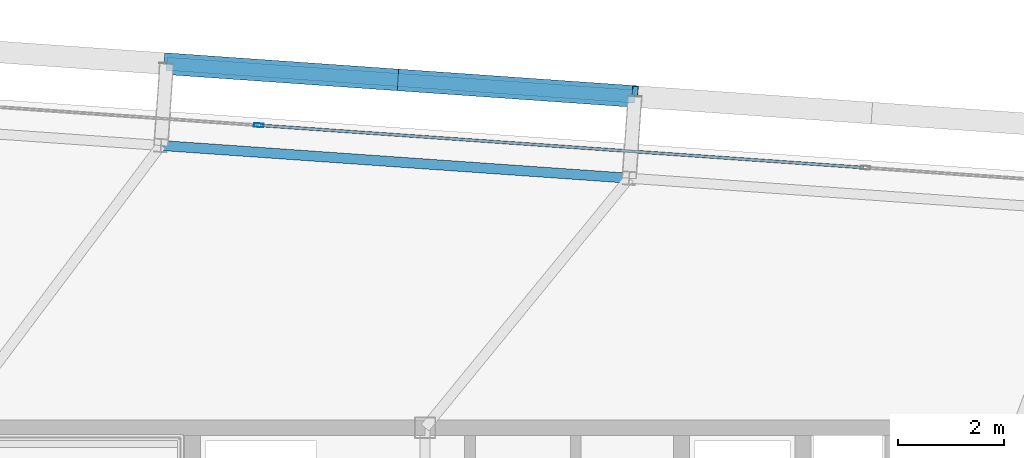
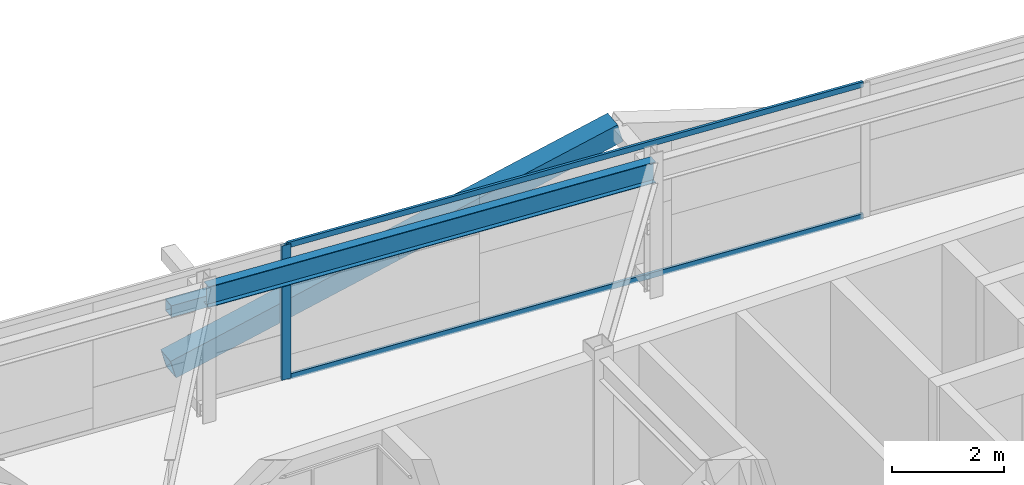
# One storey, part 21 of 39: 6 members, 1 beam, 1 element without a shape of its own.
"""IFC4 building model written with IfcOpenShell, lengths in metres."""

from ifc_helpers import new_model, si_unit, direction, frame, origin, origin_2d, place, context, subcontext, project, spatial, hollow_rectangle, i_section, extrude, source, transform, mapped, material, layer, layer_set, material_profile, profile_set, type_object, element, aggregate, save


model = new_model("IFC4")

# Units and contexts
model_context = context("Model", 3, precision=1e-05, world=origin(), true_north=direction((0.0, 1.0)))
body_context = subcontext(model_context, "Body", "Model", "MODEL_VIEW")
ifc_project = project(units=[si_unit("LENGTHUNIT", "METRE"), si_unit("AREAUNIT", "SQUARE_METRE"), si_unit("VOLUMEUNIT", "CUBIC_METRE"), si_unit("PLANEANGLEUNIT", "RADIAN"), si_unit("MASSUNIT", "GRAM", prefix="KILO")], contexts=[model_context])

# Site, building, storey
site_placement = place(None, origin())
site = spatial("IfcSite", under=ifc_project, at=site_placement, CompositionType="ELEMENT")
building_placement = place(site_placement, origin())
building = spatial("IfcBuilding", under=site, at=building_placement, Name="Taldren Reach Tower", CompositionType="ELEMENT")
storey_placement = place(building_placement, frame((0.0, 0.0, 136.14990234375)))
storey = spatial("IfcBuildingStorey", under=building, at=storey_placement, Name="L41", CompositionType="ELEMENT", Elevation=136.14990234375)

# Beam
ifc_material_1 = material(Name="Steel Gr 350 (350PLUS)", Category="steel")
ifc_material_profile_1 = material_profile(ifc_material_1, i_section(OverallWidth=0.18994140625, OverallDepth=0.4541015625, WebThickness=0.008544921875, FlangeThickness=0.0126953125, at=origin_2d()), Name="460UB67.1")
ifc_profile_set_1 = profile_set([ifc_material_profile_1], Name="Steel Gr 350 (350PLUS)")
beam_type = type_object("IfcBeamType", Name="SP-UB460B", PredefinedType="SPANDREL", material=ifc_profile_set_1)
shared_shape_1 = source(origin(), body_context, "Body", "SweptSolid", [
    extrude(i_section(OverallWidth=0.18994140625, OverallDepth=0.4541015625, WebThickness=0.008544921875, FlangeThickness=0.0126953125, at=origin_2d()), origin(), (0.0, 0.0, 1.0), 8.880126953125),
])
beam_placement = place(storey_placement, frame((31.861328125, 36.719970703125, 2.703125), z_axis=(-0.997564479639, 0.069750333063, 0.0), x_axis=(-0.069750333063, -0.997564479639, 0.0)))
element("IfcBeam", 1, at=beam_placement, inside=storey, type_object=beam_type, Name="Perimeter spandrel B3 N3-N2 L41", PredefinedType="SPANDREL", context=body_context, shape_type="MappedRepresentation", body=[
    mapped(shared_shape_1, transform((0.0, 0.0, 0.0), scale=1.0)),
])

# Members
ifc_material_2 = material(Name="Steel Gr 350 (C350L0)", Category="steel")
ifc_material_profile_2 = material_profile(ifc_material_2, hollow_rectangle(XDim=0.25, YDim=0.25, WallThickness=0.010009765625, at=origin_2d()), Name="250x250x10.0SHS")
ifc_profile_set_2 = profile_set([ifc_material_profile_2], Name="Steel Gr 350 (C350L0)")
member_type_1 = type_object("IfcMemberType", Name="MB-POST250", PredefinedType="POST", material=ifc_profile_set_2)
shared_shape_2 = source(origin(), body_context, "Body", "SweptSolid", [
    extrude(hollow_rectangle(XDim=0.25, YDim=0.25, WallThickness=0.010009765625, at=origin_2d()), origin(), (0.0, 0.0, 1.0), 8.880126953125),
])
member_1_placement = place(storey_placement, frame((23.111083984375, 38.885498046875, 1.43505859375), z_axis=(0.997564479639, -0.069750333063, 0.0), x_axis=(0.069750333063, 0.997564479639, 0.0)))
element("IfcMember", 2, at=member_1_placement, inside=storey, type_object=member_type_1, Name="Exoskeleton mid-height ring chord B3-N2 L41", PredefinedType="POST", context=body_context, shape_type="MappedRepresentation", body=[
    mapped(shared_shape_2, transform((0.0, 0.0, 0.0), scale=1.0)),
])
ifc_material_3 = material(Name="Steel Gr 450 (C450L0)", Category="steel")
ifc_material_profile_3 = material_profile(ifc_material_3, hollow_rectangle(XDim=0.409912109375, YDim=0.409912109375, WallThickness=0.01611328125, at=origin_2d()), Name="410x410x16.0SHS")
ifc_profile_set_3 = profile_set([ifc_material_profile_3], Name="Steel Gr 450 (C450L0)")
member_type_2 = type_object("IfcMemberType", Name="MB-EXO406", PredefinedType="BRACE", material=ifc_profile_set_3)
shared_shape_3 = source(origin(), body_context, "Body", "SweptSolid", [
    extrude(hollow_rectangle(XDim=0.409912109375, YDim=0.409912109375, WallThickness=0.01611328125, at=origin_2d()), origin(), (0.0, 0.0, 1.0), 4.603271484375),
])
for number, where, z_axis, x_axis, name in (
    (3, (23.111083984375, 38.885498046875, 0.22021484375), (0.962199253371, -0.067251055742, 0.263912660389), (0.069722973508, 0.997566392259, 0.0), "Exoskeleton Diagrid Brace B3-N2 L41"),
    (4, (27.540283203125, 38.575927734375, 1.43505859375), (0.962182351074, -0.067302910567, 0.263961060594), (0.06977769246, 0.997562566276, 0.0), "Exoskeleton Diagrid Brace B3-N2 L41"),
):
    element("IfcMember", number, at=place(storey_placement, frame(where, z_axis=z_axis, x_axis=x_axis)), inside=storey, type_object=member_type_2, Name=name, PredefinedType="BRACE", context=body_context, shape_type="MappedRepresentation", body=[
        mapped(shared_shape_3, transform((0.0, 0.0, 0.0), scale=1.0)),
    ])

# Curtain wall, members
ifc_material_4 = material(Name="Aluminium and Low-E Glass Unitised System", Category="aluminium")
ifc_layer = layer(ifc_material_4, 0.159912109375)
ifc_layer_set = layer_set([ifc_layer], Name="Aluminium and Low-E Glass Unitised System")
curtain_wall_type = type_object("IfcCurtainWallType", Name="CW-SYS-4", PredefinedType="NOTDEFINED", material=ifc_layer_set)
curtain_wall_placement = place(storey_placement, origin())
curtain_wall = element("IfcCurtainWall", 5, at=curtain_wall_placement, inside=storey, type_object=curtain_wall_type, Name="Unitised curtain wall CW-L41-N", PredefinedType="NOTDEFINED")
ifc_material_5 = material(Name="Anodised Aluminium 6063-T6", Category="aluminium")
ifc_material_profile_4 = material_profile(ifc_material_5, hollow_rectangle(XDim=0.070068359375, YDim=0.179931640625, WallThickness=0.00390625, at=origin_2d()), Name="ALU-180x70x4RHS")
ifc_profile_set_4 = profile_set([ifc_material_profile_4], Name="Anodised Aluminium 6063-T6")
member_type_3 = type_object("IfcMemberType", Name="CW-MUL-180", PredefinedType="MULLION", material=ifc_profile_set_4)
shared_shape_4 = source(origin(), body_context, "Body", "SweptSolid", [
    extrude(hollow_rectangle(XDim=0.070068359375, YDim=0.179931640625, WallThickness=0.00390625, at=origin_2d()), origin(), (0.0, 0.0, 1.0), 2.93017578125),
])
member_2_placement = place(storey_placement, frame((24.85400390625, 37.72119140625, 0.0), z_axis=(0.0, 0.0, 1.0), x_axis=(-0.06975651593, -0.99756404731, 0.0)))
member_2 = element("IfcMember", 6, at=member_2_placement, type_object=member_type_3, Name="CW-4 mullion 4", PredefinedType="MULLION", context=body_context, shape_type="MappedRepresentation", body=[
    mapped(shared_shape_4, transform((0.0, 0.0, 0.0), scale=1.0)),
])
ifc_material_profile_5 = material_profile(ifc_material_5, hollow_rectangle(XDim=0.054931640625, YDim=0.1201171875, WallThickness=0.0029296875, at=origin_2d()), Name="ALU-120x55x3RHS")
ifc_profile_set_5 = profile_set([ifc_material_profile_5], Name="Anodised Aluminium 6063-T6")
member_type_4 = type_object("IfcMemberType", Name="CW-TRN-135", PredefinedType="USERDEFINED", material=ifc_profile_set_5)
shared_shape_5 = source(origin(), body_context, "Body", "SweptSolid", [
    extrude(hollow_rectangle(XDim=0.054931640625, YDim=0.1201171875, WallThickness=0.0029296875, at=origin_2d()), origin(), (0.0, 0.0, 1.0), 11.43017578125),
])
member_3_placement = place(storey_placement, frame((36.291259765625, 36.92138671875, 0.027587890625), z_axis=(-0.997563844883, 0.069759410701, 0.0), x_axis=(-0.069759410701, -0.997563844883, 0.0)))
member_3 = element("IfcMember", 7, at=member_3_placement, type_object=member_type_4, Name="CW-4 transom 3.1", ObjectType="TRANSOM", PredefinedType="USERDEFINED", context=body_context, shape_type="MappedRepresentation", body=[
    mapped(shared_shape_5, transform((0.0, 0.0, 0.0), scale=1.0)),
])
member_4_placement = place(storey_placement, frame((36.291259765625, 36.92138671875, 2.902587890625), z_axis=(-0.997563844883, 0.069759410701, 0.0), x_axis=(-0.069759410701, -0.997563844883, 0.0)))
member_4 = element("IfcMember", 8, at=member_4_placement, type_object=member_type_4, Name="CW-4 transom 3.2", ObjectType="TRANSOM", PredefinedType="USERDEFINED", context=body_context, shape_type="MappedRepresentation", body=[
    mapped(shared_shape_5, transform((0.0, 0.0, 0.0), scale=1.0)),
])
aggregate(curtain_wall, [member_2, member_3, member_4])

save(model, "model.ifc")
